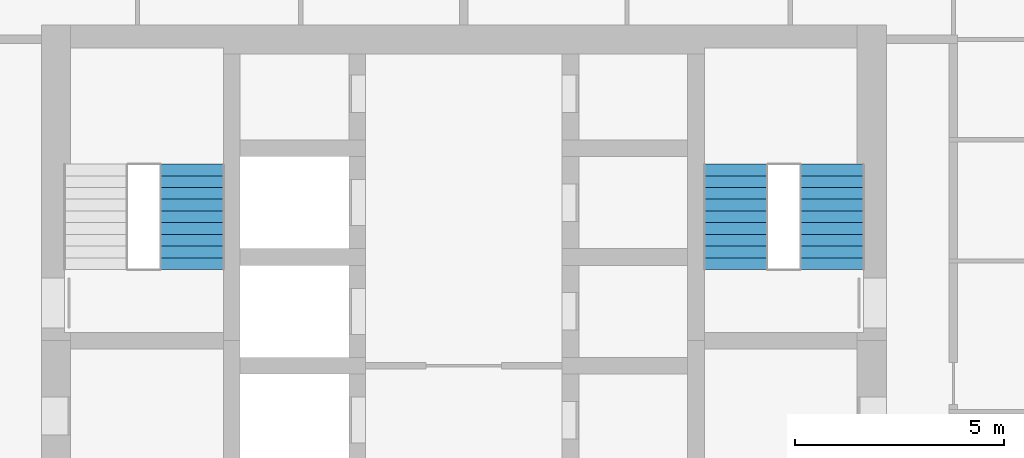
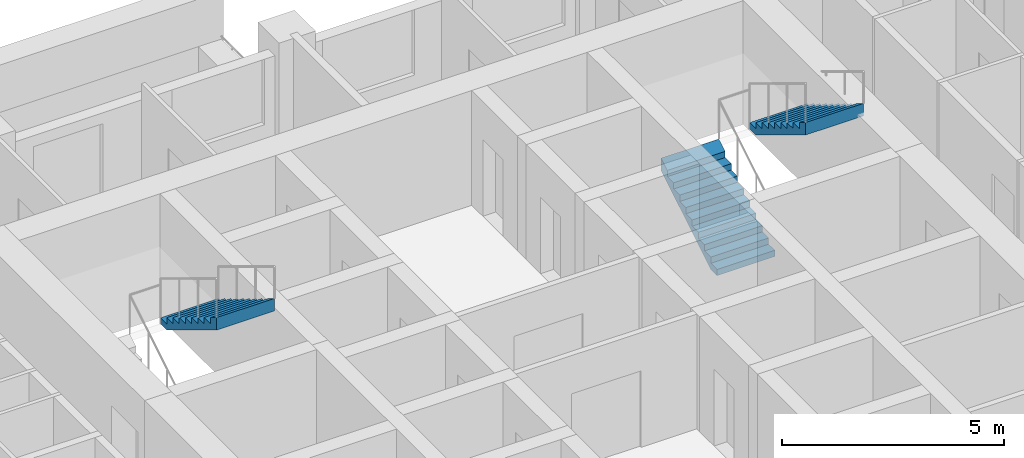
# One storey, part 16 of 18: 3 stair flights, 2 elements without a shape of their own.
"""IFC4 building model written with IfcOpenShell, lengths in metres."""

from ifc_helpers import new_model, si_unit, direction, frame, origin, place, context, subcontext, project, spatial, triangles, material, type_object, element, aggregate, save


model = new_model("IFC4")

# Units and contexts
model_context = context("Model", 3, precision=1e-05, world=origin(), true_north=direction((0.0, 1.0)))
body_context = subcontext(model_context, "Body", "Model", "MODEL_VIEW")
ifc_project = project(units=[si_unit("LENGTHUNIT", "METRE"), si_unit("AREAUNIT", "SQUARE_METRE"), si_unit("VOLUMEUNIT", "CUBIC_METRE"), si_unit("PLANEANGLEUNIT", "RADIAN"), si_unit("MASSUNIT", "GRAM", prefix="KILO")], contexts=[model_context])

# Site, building, storey
site_placement = place(None, origin())
site = spatial("IfcSite", under=ifc_project, at=site_placement, CompositionType="ELEMENT")
building_placement = place(site_placement, origin())
building = spatial("IfcBuilding", under=site, at=building_placement, Name="Ludao Terraces", CompositionType="ELEMENT")
storey_placement = place(building_placement, frame((0.0, 0.0, 61.39990234375)))
storey = spatial("IfcBuildingStorey", under=building, at=storey_placement, Name="L16", CompositionType="ELEMENT", Elevation=61.39990234375)

# Stair, stair flight
ifc_material = material(Name="Concrete C40", Category="concrete")
stair_type = type_object("IfcStairType", Name="INT Stair", PredefinedType="HALF_TURN_STAIR", material=ifc_material)
stair_1_placement = place(storey_placement, origin())
stair_1 = element("IfcStair", 1, at=stair_1_placement, inside=storey, type_object=stair_type, Name="EXIT STAIR 1", PredefinedType="HALF_TURN_STAIR")
stair_flight_type = type_object("IfcStairFlightType", Name="INT Stair flight", PredefinedType="STRAIGHT", material=ifc_material)
stair_flight_1_placement = place(storey_placement, frame((78.5, 81.52001953125, 1.7001953125), z_axis=(0.0, 0.0, 1.0), x_axis=(0.0, -1.0, 0.0)))
stair_flight_1 = element("IfcStairFlight", 2, at=stair_flight_1_placement, type_object=stair_flight_type, Name="ST1 flight 2", NumberOfRisers=10, NumberOfTreads=9, PredefinedType="STRAIGHT", RiserHeight=0.17, TreadLength=0.28, context=body_context, shape_type="Tessellation", body=[
    triangles([(0.0, -0.75, 0.0), (0.0, -0.5, 0.0), (0.0, -0.25, 0.0), (0.0, 0.0, 0.0), (0.0, 0.25, 0.0), (0.0, 0.5, 0.0), (0.0, 0.75, 0.0), (0.0, -0.75, 0.169921875), (0.0, -0.5, 0.169921875), (0.0, -0.25, 0.169921875), (0.0, 0.0, 0.169921875), (0.0, 0.25, 0.169921875), (0.0, 0.5, 0.169921875), (0.0, 0.75, 0.169921875), (0.280029296875, -0.75, 0.169921875), (0.280029296875, -0.5, 0.169921875), (0.280029296875, -0.25, 0.169921875), (0.280029296875, 0.0, 0.169921875), (0.280029296875, 0.25, 0.169921875), (0.280029296875, 0.5, 0.169921875), (0.280029296875, 0.75, 0.169921875), (0.280029296875, -0.75, 0.340087890625), (0.280029296875, -0.5, 0.340087890625), (0.280029296875, -0.25, 0.340087890625), (0.280029296875, 0.0, 0.340087890625), (0.280029296875, 0.25, 0.340087890625), (0.280029296875, 0.5, 0.340087890625), (0.280029296875, 0.75, 0.340087890625), (0.56005859375, -0.75, 0.340087890625), (0.56005859375, -0.5, 0.340087890625), (0.56005859375, -0.25, 0.340087890625), (0.56005859375, 0.0, 0.340087890625), (0.56005859375, 0.25, 0.340087890625), (0.56005859375, 0.5, 0.340087890625), (0.56005859375, 0.75, 0.340087890625), (0.56005859375, -0.75, 0.510009765625), (0.56005859375, -0.5, 0.510009765625), (0.56005859375, -0.25, 0.510009765625), (0.56005859375, 0.0, 0.510009765625), (0.56005859375, 0.25, 0.510009765625), (0.56005859375, 0.5, 0.510009765625), (0.56005859375, 0.75, 0.510009765625), (0.840087890625, -0.75, 0.510009765625), (0.840087890625, -0.5, 0.510009765625), (0.840087890625, -0.25, 0.510009765625), (0.840087890625, 0.0, 0.510009765625), (0.840087890625, 0.25, 0.510009765625), (0.840087890625, 0.5, 0.510009765625), (0.840087890625, 0.75, 0.510009765625), (0.840087890625, -0.75, 0.679931640625), (0.840087890625, -0.5, 0.679931640625), (0.840087890625, -0.25, 0.679931640625), (0.840087890625, 0.0, 0.679931640625), (0.840087890625, 0.25, 0.679931640625), (0.840087890625, 0.5, 0.679931640625), (0.840087890625, 0.75, 0.679931640625), (1.1201171875, -0.75, 0.679931640625), (1.1201171875, -0.5, 0.679931640625), (1.1201171875, -0.25, 0.679931640625), (1.1201171875, 0.0, 0.679931640625), (1.1201171875, 0.25, 0.679931640625), (1.1201171875, 0.5, 0.679931640625), (1.1201171875, 0.75, 0.679931640625), (1.1201171875, -0.75, 0.85009765625), (1.1201171875, -0.5, 0.85009765625), (1.1201171875, -0.25, 0.85009765625), (1.1201171875, 0.0, 0.85009765625), (1.1201171875, 0.25, 0.85009765625), (1.1201171875, 0.5, 0.85009765625), (1.1201171875, 0.75, 0.85009765625), (1.39990234375, -0.75, 0.85009765625), (1.39990234375, -0.5, 0.85009765625), (1.39990234375, -0.25, 0.85009765625), (1.39990234375, 0.0, 0.85009765625), (1.39990234375, 0.25, 0.85009765625), (1.39990234375, 0.5, 0.85009765625), (1.39990234375, 0.75, 0.85009765625), (1.39990234375, -0.75, 1.02001953125), (1.39990234375, -0.5, 1.02001953125), (1.39990234375, -0.25, 1.02001953125), (1.39990234375, 0.0, 1.02001953125), (1.39990234375, 0.25, 1.02001953125), (1.39990234375, 0.5, 1.02001953125), (1.39990234375, 0.75, 1.02001953125), (1.679931640625, -0.75, 1.02001953125), (1.679931640625, -0.5, 1.02001953125), (1.679931640625, -0.25, 1.02001953125), (1.679931640625, 0.0, 1.02001953125), (1.679931640625, 0.25, 1.02001953125), (1.679931640625, 0.5, 1.02001953125), (1.679931640625, 0.75, 1.02001953125), (1.679931640625, -0.75, 1.18994140625), (1.679931640625, -0.5, 1.18994140625), (1.679931640625, -0.25, 1.18994140625), (1.679931640625, 0.0, 1.18994140625), (1.679931640625, 0.25, 1.18994140625), (1.679931640625, 0.5, 1.18994140625), (1.679931640625, 0.75, 1.18994140625), (1.9599609375, -0.75, 1.18994140625), (1.9599609375, -0.5, 1.18994140625), (1.9599609375, -0.25, 1.18994140625), (1.9599609375, 0.0, 1.18994140625), (1.9599609375, 0.25, 1.18994140625), (1.9599609375, 0.5, 1.18994140625), (1.9599609375, 0.75, 1.18994140625), (1.9599609375, -0.75, 1.360107421875), (1.9599609375, -0.5, 1.360107421875), (1.9599609375, -0.25, 1.360107421875), (1.9599609375, 0.0, 1.360107421875), (1.9599609375, 0.25, 1.360107421875), (1.9599609375, 0.5, 1.360107421875), (1.9599609375, 0.75, 1.360107421875), (2.239990234375, -0.75, 1.360107421875), (2.239990234375, -0.5, 1.360107421875), (2.239990234375, -0.25, 1.360107421875), (2.239990234375, 0.0, 1.360107421875), (2.239990234375, 0.25, 1.360107421875), (2.239990234375, 0.5, 1.360107421875), (2.239990234375, 0.75, 1.360107421875), (2.239990234375, -0.75, 1.530029296875), (2.239990234375, -0.5, 1.530029296875), (2.239990234375, -0.25, 1.530029296875), (2.239990234375, 0.0, 1.530029296875), (2.239990234375, 0.25, 1.530029296875), (2.239990234375, 0.5, 1.530029296875), (2.239990234375, 0.75, 1.530029296875), (2.52001953125, -0.75, 1.699951171875), (2.52001953125, -0.5, 1.699951171875), (2.52001953125, -0.25, 1.699951171875), (2.52001953125, 0.0, 1.699951171875), (2.52001953125, 0.25, 1.699951171875), (2.52001953125, 0.5, 1.699951171875), (2.52001953125, 0.75, 1.699951171875), (2.52001953125, -0.75, 1.354736328125), (2.52001953125, -0.5, 1.354736328125), (2.52001953125, -0.25, 1.354736328125), (2.52001953125, 0.0, 1.354736328125), (2.52001953125, 0.25, 1.354736328125), (2.52001953125, 0.5, 1.354736328125), (2.52001953125, 0.75, 1.354736328125), (0.288818359375, -0.75, 0.0), (0.288818359375, -0.5, 0.0), (0.288818359375, -0.25, 0.0), (0.288818359375, 0.0, 0.0), (0.288818359375, 0.25, 0.0), (0.288818359375, 0.5, 0.0), (0.288818359375, 0.75, 0.0)], [[1, 141, 134], [7, 140, 147], [134, 127, 120], [140, 126, 133], [134, 120, 113], [140, 119, 126], [134, 113, 106], [140, 112, 119], [134, 106, 99], [140, 105, 112], [99, 92, 85], [105, 91, 98], [134, 99, 85], [140, 91, 105], [85, 78, 71], [91, 77, 84], [134, 85, 71], [140, 77, 91], [71, 64, 57], [77, 63, 70], [134, 71, 57], [140, 63, 77], [57, 50, 43], [63, 49, 56], [134, 57, 43], [140, 49, 63], [43, 36, 29], [49, 35, 42], [134, 43, 29], [140, 35, 49], [29, 22, 15], [35, 21, 28], [134, 29, 15], [140, 21, 35], [1, 134, 15], [7, 21, 140], [15, 8, 1], [21, 7, 14], [1, 9, 2], [1, 8, 9], [2, 10, 3], [2, 9, 10], [3, 11, 4], [3, 10, 11], [4, 12, 5], [4, 11, 12], [5, 13, 6], [5, 12, 13], [6, 14, 7], [6, 13, 14], [8, 16, 9], [8, 15, 16], [9, 17, 10], [9, 16, 17], [10, 18, 11], [10, 17, 18], [11, 19, 12], [11, 18, 19], [12, 20, 13], [12, 19, 20], [13, 21, 14], [13, 20, 21], [15, 23, 16], [15, 22, 23], [16, 24, 17], [16, 23, 24], [17, 25, 18], [17, 24, 25], [18, 26, 19], [18, 25, 26], [19, 27, 20], [19, 26, 27], [20, 28, 21], [20, 27, 28], [22, 30, 23], [22, 29, 30], [23, 31, 24], [23, 30, 31], [24, 32, 25], [24, 31, 32], [25, 33, 26], [25, 32, 33], [26, 34, 27], [26, 33, 34], [27, 35, 28], [27, 34, 35], [29, 37, 30], [29, 36, 37], [30, 38, 31], [30, 37, 38], [31, 39, 32], [31, 38, 39], [32, 40, 33], [32, 39, 40], [33, 41, 34], [33, 40, 41], [34, 42, 35], [34, 41, 42], [36, 44, 37], [36, 43, 44], [37, 45, 38], [37, 44, 45], [38, 46, 39], [38, 45, 46], [39, 47, 40], [39, 46, 47], [40, 48, 41], [40, 47, 48], [41, 49, 42], [41, 48, 49], [43, 51, 44], [43, 50, 51], [44, 52, 45], [44, 51, 52], [45, 53, 46], [45, 52, 53], [46, 54, 47], [46, 53, 54], [47, 55, 48], [47, 54, 55], [48, 56, 49], [48, 55, 56], [50, 58, 51], [50, 57, 58], [51, 59, 52], [51, 58, 59], [52, 60, 53], [52, 59, 60], [53, 61, 54], [53, 60, 61], [54, 62, 55], [54, 61, 62], [55, 63, 56], [55, 62, 63], [57, 65, 58], [57, 64, 65], [58, 66, 59], [58, 65, 66], [59, 67, 60], [59, 66, 67], [60, 68, 61], [60, 67, 68], [61, 69, 62], [61, 68, 69], [62, 70, 63], [62, 69, 70], [64, 72, 65], [64, 71, 72], [65, 73, 66], [65, 72, 73], [66, 74, 67], [66, 73, 74], [67, 75, 68], [67, 74, 75], [68, 76, 69], [68, 75, 76], [69, 77, 70], [69, 76, 77], [71, 79, 72], [71, 78, 79], [72, 80, 73], [72, 79, 80], [73, 81, 74], [73, 80, 81], [74, 82, 75], [74, 81, 82], [75, 83, 76], [75, 82, 83], [76, 84, 77], [76, 83, 84], [78, 86, 79], [78, 85, 86], [79, 87, 80], [79, 86, 87], [80, 88, 81], [80, 87, 88], [81, 89, 82], [81, 88, 89], [82, 90, 83], [82, 89, 90], [83, 91, 84], [83, 90, 91], [85, 93, 86], [85, 92, 93], [86, 94, 87], [86, 93, 94], [87, 95, 88], [87, 94, 95], [88, 96, 89], [88, 95, 96], [89, 97, 90], [89, 96, 97], [90, 98, 91], [90, 97, 98], [92, 100, 93], [92, 99, 100], [93, 101, 94], [93, 100, 101], [94, 102, 95], [94, 101, 102], [95, 103, 96], [95, 102, 103], [96, 104, 97], [96, 103, 104], [97, 105, 98], [97, 104, 105], [99, 107, 100], [99, 106, 107], [100, 108, 101], [100, 107, 108], [101, 109, 102], [101, 108, 109], [102, 110, 103], [102, 109, 110], [103, 111, 104], [103, 110, 111], [104, 112, 105], [104, 111, 112], [106, 114, 107], [106, 113, 114], [107, 115, 108], [107, 114, 115], [108, 116, 109], [108, 115, 116], [109, 117, 110], [109, 116, 117], [110, 118, 111], [110, 117, 118], [111, 119, 112], [111, 118, 119], [113, 121, 114], [113, 120, 121], [114, 122, 115], [114, 121, 122], [115, 123, 116], [115, 122, 123], [116, 124, 117], [116, 123, 124], [117, 125, 118], [117, 124, 125], [118, 126, 119], [118, 125, 126], [120, 128, 121], [120, 127, 128], [121, 129, 122], [121, 128, 129], [122, 130, 123], [122, 129, 130], [123, 131, 124], [123, 130, 131], [124, 132, 125], [124, 131, 132], [125, 133, 126], [125, 132, 133], [127, 135, 128], [127, 134, 135], [128, 136, 129], [128, 135, 136], [129, 137, 130], [129, 136, 137], [130, 138, 131], [130, 137, 138], [131, 139, 132], [131, 138, 139], [132, 140, 133], [132, 139, 140], [134, 142, 135], [134, 141, 142], [135, 143, 136], [135, 142, 143], [136, 144, 137], [136, 143, 144], [137, 145, 138], [137, 144, 145], [138, 146, 139], [138, 145, 146], [139, 147, 140], [139, 146, 147], [141, 2, 142], [141, 1, 2], [142, 3, 143], [142, 2, 3], [143, 4, 144], [143, 3, 4], [144, 5, 145], [144, 4, 5], [145, 6, 146], [145, 5, 6], [146, 7, 147], [146, 6, 7]], closed=True),
])
aggregate(stair_1, [stair_flight_1])

# Stair, stair flights
stair_2_placement = place(storey_placement, origin())
stair_2 = element("IfcStair", 3, at=stair_2_placement, inside=storey, type_object=stair_type, Name="EXIT STAIR 2", PredefinedType="HALF_TURN_STAIR")
stair_flight_2_placement = place(storey_placement, frame((91.5, 79.0, 0.0), z_axis=(0.0, 0.0, 1.0), x_axis=(0.0, 1.0, 0.0)))
stair_flight_2 = element("IfcStairFlight", 4, at=stair_flight_2_placement, type_object=stair_flight_type, Name="ST2 flight 1", NumberOfRisers=10, NumberOfTreads=9, PredefinedType="STRAIGHT", RiserHeight=0.17, TreadLength=0.28, context=body_context, shape_type="Tessellation", body=[
    triangles([(0.0, -0.75, 0.0), (0.0, -0.5, 0.0), (0.0, -0.25, 0.0), (0.0, 0.0, 0.0), (0.0, 0.25, 0.0), (0.0, 0.5, 0.0), (0.0, 0.75, 0.0), (0.0, -0.75, 0.169921875), (0.0, -0.5, 0.169921875), (0.0, -0.25, 0.169921875), (0.0, 0.0, 0.169921875), (0.0, 0.25, 0.169921875), (0.0, 0.5, 0.169921875), (0.0, 0.75, 0.169921875), (0.280029296875, -0.75, 0.169921875), (0.280029296875, -0.5, 0.169921875), (0.280029296875, -0.25, 0.169921875), (0.280029296875, 0.0, 0.169921875), (0.280029296875, 0.25, 0.169921875), (0.280029296875, 0.5, 0.169921875), (0.280029296875, 0.75, 0.169921875), (0.280029296875, -0.75, 0.340087890625), (0.280029296875, -0.5, 0.340087890625), (0.280029296875, -0.25, 0.340087890625), (0.280029296875, 0.0, 0.340087890625), (0.280029296875, 0.25, 0.340087890625), (0.280029296875, 0.5, 0.340087890625), (0.280029296875, 0.75, 0.340087890625), (0.56005859375, -0.75, 0.340087890625), (0.56005859375, -0.5, 0.340087890625), (0.56005859375, -0.25, 0.340087890625), (0.56005859375, 0.0, 0.340087890625), (0.56005859375, 0.25, 0.340087890625), (0.56005859375, 0.5, 0.340087890625), (0.56005859375, 0.75, 0.340087890625), (0.56005859375, -0.75, 0.510009765625), (0.56005859375, -0.5, 0.510009765625), (0.56005859375, -0.25, 0.510009765625), (0.56005859375, 0.0, 0.510009765625), (0.56005859375, 0.25, 0.510009765625), (0.56005859375, 0.5, 0.510009765625), (0.56005859375, 0.75, 0.510009765625), (0.840087890625, -0.75, 0.510009765625), (0.840087890625, -0.5, 0.510009765625), (0.840087890625, -0.25, 0.510009765625), (0.840087890625, 0.0, 0.510009765625), (0.840087890625, 0.25, 0.510009765625), (0.840087890625, 0.5, 0.510009765625), (0.840087890625, 0.75, 0.510009765625), (0.840087890625, -0.75, 0.679931640625), (0.840087890625, -0.5, 0.679931640625), (0.840087890625, -0.25, 0.679931640625), (0.840087890625, 0.0, 0.679931640625), (0.840087890625, 0.25, 0.679931640625), (0.840087890625, 0.5, 0.679931640625), (0.840087890625, 0.75, 0.679931640625), (1.1201171875, -0.75, 0.679931640625), (1.1201171875, -0.5, 0.679931640625), (1.1201171875, -0.25, 0.679931640625), (1.1201171875, 0.0, 0.679931640625), (1.1201171875, 0.25, 0.679931640625), (1.1201171875, 0.5, 0.679931640625), (1.1201171875, 0.75, 0.679931640625), (1.1201171875, -0.75, 0.85009765625), (1.1201171875, -0.5, 0.85009765625), (1.1201171875, -0.25, 0.85009765625), (1.1201171875, 0.0, 0.85009765625), (1.1201171875, 0.25, 0.85009765625), (1.1201171875, 0.5, 0.85009765625), (1.1201171875, 0.75, 0.85009765625), (1.39990234375, -0.75, 0.85009765625), (1.39990234375, -0.5, 0.85009765625), (1.39990234375, -0.25, 0.85009765625), (1.39990234375, 0.0, 0.85009765625), (1.39990234375, 0.25, 0.85009765625), (1.39990234375, 0.5, 0.85009765625), (1.39990234375, 0.75, 0.85009765625), (1.39990234375, -0.75, 1.02001953125), (1.39990234375, -0.5, 1.02001953125), (1.39990234375, -0.25, 1.02001953125), (1.39990234375, 0.0, 1.02001953125), (1.39990234375, 0.25, 1.02001953125), (1.39990234375, 0.5, 1.02001953125), (1.39990234375, 0.75, 1.02001953125), (1.679931640625, -0.75, 1.02001953125), (1.679931640625, -0.5, 1.02001953125), (1.679931640625, -0.25, 1.02001953125), (1.679931640625, 0.0, 1.02001953125), (1.679931640625, 0.25, 1.02001953125), (1.679931640625, 0.5, 1.02001953125), (1.679931640625, 0.75, 1.02001953125), (1.679931640625, -0.75, 1.18994140625), (1.679931640625, -0.5, 1.18994140625), (1.679931640625, -0.25, 1.18994140625), (1.679931640625, 0.0, 1.18994140625), (1.679931640625, 0.25, 1.18994140625), (1.679931640625, 0.5, 1.18994140625), (1.679931640625, 0.75, 1.18994140625), (1.9599609375, -0.75, 1.18994140625), (1.9599609375, -0.5, 1.18994140625), (1.9599609375, -0.25, 1.18994140625), (1.9599609375, 0.0, 1.18994140625), (1.9599609375, 0.25, 1.18994140625), (1.9599609375, 0.5, 1.18994140625), (1.9599609375, 0.75, 1.18994140625), (1.9599609375, -0.75, 1.360107421875), (1.9599609375, -0.5, 1.360107421875), (1.9599609375, -0.25, 1.360107421875), (1.9599609375, 0.0, 1.360107421875), (1.9599609375, 0.25, 1.360107421875), (1.9599609375, 0.5, 1.360107421875), (1.9599609375, 0.75, 1.360107421875), (2.239990234375, -0.75, 1.360107421875), (2.239990234375, -0.5, 1.360107421875), (2.239990234375, -0.25, 1.360107421875), (2.239990234375, 0.0, 1.360107421875), (2.239990234375, 0.25, 1.360107421875), (2.239990234375, 0.5, 1.360107421875), (2.239990234375, 0.75, 1.360107421875), (2.239990234375, -0.75, 1.530029296875), (2.239990234375, -0.5, 1.530029296875), (2.239990234375, -0.25, 1.530029296875), (2.239990234375, 0.0, 1.530029296875), (2.239990234375, 0.25, 1.530029296875), (2.239990234375, 0.5, 1.530029296875), (2.239990234375, 0.75, 1.530029296875), (2.52001953125, -0.75, 1.699951171875), (2.52001953125, -0.5, 1.699951171875), (2.52001953125, -0.25, 1.699951171875), (2.52001953125, 0.0, 1.699951171875), (2.52001953125, 0.25, 1.699951171875), (2.52001953125, 0.5, 1.699951171875), (2.52001953125, 0.75, 1.699951171875), (2.52001953125, -0.75, 1.354736328125), (2.52001953125, -0.5, 1.354736328125), (2.52001953125, -0.25, 1.354736328125), (2.52001953125, 0.0, 1.354736328125), (2.52001953125, 0.25, 1.354736328125), (2.52001953125, 0.5, 1.354736328125), (2.52001953125, 0.75, 1.354736328125), (0.288818359375, -0.75, 0.0), (0.288818359375, -0.5, 0.0), (0.288818359375, -0.25, 0.0), (0.288818359375, 0.0, 0.0), (0.288818359375, 0.25, 0.0), (0.288818359375, 0.5, 0.0), (0.288818359375, 0.75, 0.0)], [[1, 141, 134], [7, 140, 147], [134, 127, 120], [140, 126, 133], [134, 120, 113], [140, 119, 126], [134, 113, 106], [140, 112, 119], [134, 106, 99], [140, 105, 112], [99, 92, 85], [105, 91, 98], [134, 99, 85], [140, 91, 105], [85, 78, 71], [91, 77, 84], [134, 85, 71], [140, 77, 91], [71, 64, 57], [77, 63, 70], [134, 71, 57], [140, 63, 77], [57, 50, 43], [63, 49, 56], [134, 57, 43], [140, 49, 63], [43, 36, 29], [49, 35, 42], [134, 43, 29], [140, 35, 49], [29, 22, 15], [35, 21, 28], [134, 29, 15], [140, 21, 35], [1, 134, 15], [7, 21, 140], [15, 8, 1], [21, 7, 14], [1, 9, 2], [1, 8, 9], [2, 10, 3], [2, 9, 10], [3, 11, 4], [3, 10, 11], [4, 12, 5], [4, 11, 12], [5, 13, 6], [5, 12, 13], [6, 14, 7], [6, 13, 14], [8, 16, 9], [8, 15, 16], [9, 17, 10], [9, 16, 17], [10, 18, 11], [10, 17, 18], [11, 19, 12], [11, 18, 19], [12, 20, 13], [12, 19, 20], [13, 21, 14], [13, 20, 21], [15, 23, 16], [15, 22, 23], [16, 24, 17], [16, 23, 24], [17, 25, 18], [17, 24, 25], [18, 26, 19], [18, 25, 26], [19, 27, 20], [19, 26, 27], [20, 28, 21], [20, 27, 28], [22, 30, 23], [22, 29, 30], [23, 31, 24], [23, 30, 31], [24, 32, 25], [24, 31, 32], [25, 33, 26], [25, 32, 33], [26, 34, 27], [26, 33, 34], [27, 35, 28], [27, 34, 35], [29, 37, 30], [29, 36, 37], [30, 38, 31], [30, 37, 38], [31, 39, 32], [31, 38, 39], [32, 40, 33], [32, 39, 40], [33, 41, 34], [33, 40, 41], [34, 42, 35], [34, 41, 42], [36, 44, 37], [36, 43, 44], [37, 45, 38], [37, 44, 45], [38, 46, 39], [38, 45, 46], [39, 47, 40], [39, 46, 47], [40, 48, 41], [40, 47, 48], [41, 49, 42], [41, 48, 49], [43, 51, 44], [43, 50, 51], [44, 52, 45], [44, 51, 52], [45, 53, 46], [45, 52, 53], [46, 54, 47], [46, 53, 54], [47, 55, 48], [47, 54, 55], [48, 56, 49], [48, 55, 56], [50, 58, 51], [50, 57, 58], [51, 59, 52], [51, 58, 59], [52, 60, 53], [52, 59, 60], [53, 61, 54], [53, 60, 61], [54, 62, 55], [54, 61, 62], [55, 63, 56], [55, 62, 63], [57, 65, 58], [57, 64, 65], [58, 66, 59], [58, 65, 66], [59, 67, 60], [59, 66, 67], [60, 68, 61], [60, 67, 68], [61, 69, 62], [61, 68, 69], [62, 70, 63], [62, 69, 70], [64, 72, 65], [64, 71, 72], [65, 73, 66], [65, 72, 73], [66, 74, 67], [66, 73, 74], [67, 75, 68], [67, 74, 75], [68, 76, 69], [68, 75, 76], [69, 77, 70], [69, 76, 77], [71, 79, 72], [71, 78, 79], [72, 80, 73], [72, 79, 80], [73, 81, 74], [73, 80, 81], [74, 82, 75], [74, 81, 82], [75, 83, 76], [75, 82, 83], [76, 84, 77], [76, 83, 84], [78, 86, 79], [78, 85, 86], [79, 87, 80], [79, 86, 87], [80, 88, 81], [80, 87, 88], [81, 89, 82], [81, 88, 89], [82, 90, 83], [82, 89, 90], [83, 91, 84], [83, 90, 91], [85, 93, 86], [85, 92, 93], [86, 94, 87], [86, 93, 94], [87, 95, 88], [87, 94, 95], [88, 96, 89], [88, 95, 96], [89, 97, 90], [89, 96, 97], [90, 98, 91], [90, 97, 98], [92, 100, 93], [92, 99, 100], [93, 101, 94], [93, 100, 101], [94, 102, 95], [94, 101, 102], [95, 103, 96], [95, 102, 103], [96, 104, 97], [96, 103, 104], [97, 105, 98], [97, 104, 105], [99, 107, 100], [99, 106, 107], [100, 108, 101], [100, 107, 108], [101, 109, 102], [101, 108, 109], [102, 110, 103], [102, 109, 110], [103, 111, 104], [103, 110, 111], [104, 112, 105], [104, 111, 112], [106, 114, 107], [106, 113, 114], [107, 115, 108], [107, 114, 115], [108, 116, 109], [108, 115, 116], [109, 117, 110], [109, 116, 117], [110, 118, 111], [110, 117, 118], [111, 119, 112], [111, 118, 119], [113, 121, 114], [113, 120, 121], [114, 122, 115], [114, 121, 122], [115, 123, 116], [115, 122, 123], [116, 124, 117], [116, 123, 124], [117, 125, 118], [117, 124, 125], [118, 126, 119], [118, 125, 126], [120, 128, 121], [120, 127, 128], [121, 129, 122], [121, 128, 129], [122, 130, 123], [122, 129, 130], [123, 131, 124], [123, 130, 131], [124, 132, 125], [124, 131, 132], [125, 133, 126], [125, 132, 133], [127, 135, 128], [127, 134, 135], [128, 136, 129], [128, 135, 136], [129, 137, 130], [129, 136, 137], [130, 138, 131], [130, 137, 138], [131, 139, 132], [131, 138, 139], [132, 140, 133], [132, 139, 140], [134, 142, 135], [134, 141, 142], [135, 143, 136], [135, 142, 143], [136, 144, 137], [136, 143, 144], [137, 145, 138], [137, 144, 145], [138, 146, 139], [138, 145, 146], [139, 147, 140], [139, 146, 147], [141, 2, 142], [141, 1, 2], [142, 3, 143], [142, 2, 3], [143, 4, 144], [143, 3, 4], [144, 5, 145], [144, 4, 5], [145, 6, 146], [145, 5, 6], [146, 7, 147], [146, 6, 7]], closed=True),
])
stair_flight_3_placement = place(storey_placement, frame((93.800048828125, 81.52001953125, 1.7001953125), z_axis=(0.0, 0.0, 1.0), x_axis=(0.0, -1.0, 0.0)))
stair_flight_3 = element("IfcStairFlight", 5, at=stair_flight_3_placement, type_object=stair_flight_type, Name="ST2 flight 2", NumberOfRisers=10, NumberOfTreads=9, PredefinedType="STRAIGHT", RiserHeight=0.17, TreadLength=0.28, context=body_context, shape_type="Tessellation", body=[
    triangles([(0.0, -0.75, 0.0), (0.0, -0.5, 0.0), (0.0, -0.25, 0.0), (0.0, 0.0, 0.0), (0.0, 0.25, 0.0), (0.0, 0.5, 0.0), (0.0, 0.75, 0.0), (0.0, -0.75, 0.169921875), (0.0, -0.5, 0.169921875), (0.0, -0.25, 0.169921875), (0.0, 0.0, 0.169921875), (0.0, 0.25, 0.169921875), (0.0, 0.5, 0.169921875), (0.0, 0.75, 0.169921875), (0.280029296875, -0.75, 0.169921875), (0.280029296875, -0.5, 0.169921875), (0.280029296875, -0.25, 0.169921875), (0.280029296875, 0.0, 0.169921875), (0.280029296875, 0.25, 0.169921875), (0.280029296875, 0.5, 0.169921875), (0.280029296875, 0.75, 0.169921875), (0.280029296875, -0.75, 0.340087890625), (0.280029296875, -0.5, 0.340087890625), (0.280029296875, -0.25, 0.340087890625), (0.280029296875, 0.0, 0.340087890625), (0.280029296875, 0.25, 0.340087890625), (0.280029296875, 0.5, 0.340087890625), (0.280029296875, 0.75, 0.340087890625), (0.56005859375, -0.75, 0.340087890625), (0.56005859375, -0.5, 0.340087890625), (0.56005859375, -0.25, 0.340087890625), (0.56005859375, 0.0, 0.340087890625), (0.56005859375, 0.25, 0.340087890625), (0.56005859375, 0.5, 0.340087890625), (0.56005859375, 0.75, 0.340087890625), (0.56005859375, -0.75, 0.510009765625), (0.56005859375, -0.5, 0.510009765625), (0.56005859375, -0.25, 0.510009765625), (0.56005859375, 0.0, 0.510009765625), (0.56005859375, 0.25, 0.510009765625), (0.56005859375, 0.5, 0.510009765625), (0.56005859375, 0.75, 0.510009765625), (0.840087890625, -0.75, 0.510009765625), (0.840087890625, -0.5, 0.510009765625), (0.840087890625, -0.25, 0.510009765625), (0.840087890625, 0.0, 0.510009765625), (0.840087890625, 0.25, 0.510009765625), (0.840087890625, 0.5, 0.510009765625), (0.840087890625, 0.75, 0.510009765625), (0.840087890625, -0.75, 0.679931640625), (0.840087890625, -0.5, 0.679931640625), (0.840087890625, -0.25, 0.679931640625), (0.840087890625, 0.0, 0.679931640625), (0.840087890625, 0.25, 0.679931640625), (0.840087890625, 0.5, 0.679931640625), (0.840087890625, 0.75, 0.679931640625), (1.1201171875, -0.75, 0.679931640625), (1.1201171875, -0.5, 0.679931640625), (1.1201171875, -0.25, 0.679931640625), (1.1201171875, 0.0, 0.679931640625), (1.1201171875, 0.25, 0.679931640625), (1.1201171875, 0.5, 0.679931640625), (1.1201171875, 0.75, 0.679931640625), (1.1201171875, -0.75, 0.85009765625), (1.1201171875, -0.5, 0.85009765625), (1.1201171875, -0.25, 0.85009765625), (1.1201171875, 0.0, 0.85009765625), (1.1201171875, 0.25, 0.85009765625), (1.1201171875, 0.5, 0.85009765625), (1.1201171875, 0.75, 0.85009765625), (1.39990234375, -0.75, 0.85009765625), (1.39990234375, -0.5, 0.85009765625), (1.39990234375, -0.25, 0.85009765625), (1.39990234375, 0.0, 0.85009765625), (1.39990234375, 0.25, 0.85009765625), (1.39990234375, 0.5, 0.85009765625), (1.39990234375, 0.75, 0.85009765625), (1.39990234375, -0.75, 1.02001953125), (1.39990234375, -0.5, 1.02001953125), (1.39990234375, -0.25, 1.02001953125), (1.39990234375, 0.0, 1.02001953125), (1.39990234375, 0.25, 1.02001953125), (1.39990234375, 0.5, 1.02001953125), (1.39990234375, 0.75, 1.02001953125), (1.679931640625, -0.75, 1.02001953125), (1.679931640625, -0.5, 1.02001953125), (1.679931640625, -0.25, 1.02001953125), (1.679931640625, 0.0, 1.02001953125), (1.679931640625, 0.25, 1.02001953125), (1.679931640625, 0.5, 1.02001953125), (1.679931640625, 0.75, 1.02001953125), (1.679931640625, -0.75, 1.18994140625), (1.679931640625, -0.5, 1.18994140625), (1.679931640625, -0.25, 1.18994140625), (1.679931640625, 0.0, 1.18994140625), (1.679931640625, 0.25, 1.18994140625), (1.679931640625, 0.5, 1.18994140625), (1.679931640625, 0.75, 1.18994140625), (1.9599609375, -0.75, 1.18994140625), (1.9599609375, -0.5, 1.18994140625), (1.9599609375, -0.25, 1.18994140625), (1.9599609375, 0.0, 1.18994140625), (1.9599609375, 0.25, 1.18994140625), (1.9599609375, 0.5, 1.18994140625), (1.9599609375, 0.75, 1.18994140625), (1.9599609375, -0.75, 1.360107421875), (1.9599609375, -0.5, 1.360107421875), (1.9599609375, -0.25, 1.360107421875), (1.9599609375, 0.0, 1.360107421875), (1.9599609375, 0.25, 1.360107421875), (1.9599609375, 0.5, 1.360107421875), (1.9599609375, 0.75, 1.360107421875), (2.239990234375, -0.75, 1.360107421875), (2.239990234375, -0.5, 1.360107421875), (2.239990234375, -0.25, 1.360107421875), (2.239990234375, 0.0, 1.360107421875), (2.239990234375, 0.25, 1.360107421875), (2.239990234375, 0.5, 1.360107421875), (2.239990234375, 0.75, 1.360107421875), (2.239990234375, -0.75, 1.530029296875), (2.239990234375, -0.5, 1.530029296875), (2.239990234375, -0.25, 1.530029296875), (2.239990234375, 0.0, 1.530029296875), (2.239990234375, 0.25, 1.530029296875), (2.239990234375, 0.5, 1.530029296875), (2.239990234375, 0.75, 1.530029296875), (2.52001953125, -0.75, 1.699951171875), (2.52001953125, -0.5, 1.699951171875), (2.52001953125, -0.25, 1.699951171875), (2.52001953125, 0.0, 1.699951171875), (2.52001953125, 0.25, 1.699951171875), (2.52001953125, 0.5, 1.699951171875), (2.52001953125, 0.75, 1.699951171875), (2.52001953125, -0.75, 1.354736328125), (2.52001953125, -0.5, 1.354736328125), (2.52001953125, -0.25, 1.354736328125), (2.52001953125, 0.0, 1.354736328125), (2.52001953125, 0.25, 1.354736328125), (2.52001953125, 0.5, 1.354736328125), (2.52001953125, 0.75, 1.354736328125), (0.288818359375, -0.75, 0.0), (0.288818359375, -0.5, 0.0), (0.288818359375, -0.25, 0.0), (0.288818359375, 0.0, 0.0), (0.288818359375, 0.25, 0.0), (0.288818359375, 0.5, 0.0), (0.288818359375, 0.75, 0.0)], [[1, 141, 134], [7, 140, 147], [134, 127, 120], [140, 126, 133], [134, 120, 113], [140, 119, 126], [134, 113, 106], [140, 112, 119], [134, 106, 99], [140, 105, 112], [99, 92, 85], [105, 91, 98], [134, 99, 85], [140, 91, 105], [85, 78, 71], [91, 77, 84], [134, 85, 71], [140, 77, 91], [71, 64, 57], [77, 63, 70], [134, 71, 57], [140, 63, 77], [57, 50, 43], [63, 49, 56], [134, 57, 43], [140, 49, 63], [43, 36, 29], [49, 35, 42], [134, 43, 29], [140, 35, 49], [29, 22, 15], [35, 21, 28], [134, 29, 15], [140, 21, 35], [1, 134, 15], [7, 21, 140], [15, 8, 1], [21, 7, 14], [1, 9, 2], [1, 8, 9], [2, 10, 3], [2, 9, 10], [3, 11, 4], [3, 10, 11], [4, 12, 5], [4, 11, 12], [5, 13, 6], [5, 12, 13], [6, 14, 7], [6, 13, 14], [8, 16, 9], [8, 15, 16], [9, 17, 10], [9, 16, 17], [10, 18, 11], [10, 17, 18], [11, 19, 12], [11, 18, 19], [12, 20, 13], [12, 19, 20], [13, 21, 14], [13, 20, 21], [15, 23, 16], [15, 22, 23], [16, 24, 17], [16, 23, 24], [17, 25, 18], [17, 24, 25], [18, 26, 19], [18, 25, 26], [19, 27, 20], [19, 26, 27], [20, 28, 21], [20, 27, 28], [22, 30, 23], [22, 29, 30], [23, 31, 24], [23, 30, 31], [24, 32, 25], [24, 31, 32], [25, 33, 26], [25, 32, 33], [26, 34, 27], [26, 33, 34], [27, 35, 28], [27, 34, 35], [29, 37, 30], [29, 36, 37], [30, 38, 31], [30, 37, 38], [31, 39, 32], [31, 38, 39], [32, 40, 33], [32, 39, 40], [33, 41, 34], [33, 40, 41], [34, 42, 35], [34, 41, 42], [36, 44, 37], [36, 43, 44], [37, 45, 38], [37, 44, 45], [38, 46, 39], [38, 45, 46], [39, 47, 40], [39, 46, 47], [40, 48, 41], [40, 47, 48], [41, 49, 42], [41, 48, 49], [43, 51, 44], [43, 50, 51], [44, 52, 45], [44, 51, 52], [45, 53, 46], [45, 52, 53], [46, 54, 47], [46, 53, 54], [47, 55, 48], [47, 54, 55], [48, 56, 49], [48, 55, 56], [50, 58, 51], [50, 57, 58], [51, 59, 52], [51, 58, 59], [52, 60, 53], [52, 59, 60], [53, 61, 54], [53, 60, 61], [54, 62, 55], [54, 61, 62], [55, 63, 56], [55, 62, 63], [57, 65, 58], [57, 64, 65], [58, 66, 59], [58, 65, 66], [59, 67, 60], [59, 66, 67], [60, 68, 61], [60, 67, 68], [61, 69, 62], [61, 68, 69], [62, 70, 63], [62, 69, 70], [64, 72, 65], [64, 71, 72], [65, 73, 66], [65, 72, 73], [66, 74, 67], [66, 73, 74], [67, 75, 68], [67, 74, 75], [68, 76, 69], [68, 75, 76], [69, 77, 70], [69, 76, 77], [71, 79, 72], [71, 78, 79], [72, 80, 73], [72, 79, 80], [73, 81, 74], [73, 80, 81], [74, 82, 75], [74, 81, 82], [75, 83, 76], [75, 82, 83], [76, 84, 77], [76, 83, 84], [78, 86, 79], [78, 85, 86], [79, 87, 80], [79, 86, 87], [80, 88, 81], [80, 87, 88], [81, 89, 82], [81, 88, 89], [82, 90, 83], [82, 89, 90], [83, 91, 84], [83, 90, 91], [85, 93, 86], [85, 92, 93], [86, 94, 87], [86, 93, 94], [87, 95, 88], [87, 94, 95], [88, 96, 89], [88, 95, 96], [89, 97, 90], [89, 96, 97], [90, 98, 91], [90, 97, 98], [92, 100, 93], [92, 99, 100], [93, 101, 94], [93, 100, 101], [94, 102, 95], [94, 101, 102], [95, 103, 96], [95, 102, 103], [96, 104, 97], [96, 103, 104], [97, 105, 98], [97, 104, 105], [99, 107, 100], [99, 106, 107], [100, 108, 101], [100, 107, 108], [101, 109, 102], [101, 108, 109], [102, 110, 103], [102, 109, 110], [103, 111, 104], [103, 110, 111], [104, 112, 105], [104, 111, 112], [106, 114, 107], [106, 113, 114], [107, 115, 108], [107, 114, 115], [108, 116, 109], [108, 115, 116], [109, 117, 110], [109, 116, 117], [110, 118, 111], [110, 117, 118], [111, 119, 112], [111, 118, 119], [113, 121, 114], [113, 120, 121], [114, 122, 115], [114, 121, 122], [115, 123, 116], [115, 122, 123], [116, 124, 117], [116, 123, 124], [117, 125, 118], [117, 124, 125], [118, 126, 119], [118, 125, 126], [120, 128, 121], [120, 127, 128], [121, 129, 122], [121, 128, 129], [122, 130, 123], [122, 129, 130], [123, 131, 124], [123, 130, 131], [124, 132, 125], [124, 131, 132], [125, 133, 126], [125, 132, 133], [127, 135, 128], [127, 134, 135], [128, 136, 129], [128, 135, 136], [129, 137, 130], [129, 136, 137], [130, 138, 131], [130, 137, 138], [131, 139, 132], [131, 138, 139], [132, 140, 133], [132, 139, 140], [134, 142, 135], [134, 141, 142], [135, 143, 136], [135, 142, 143], [136, 144, 137], [136, 143, 144], [137, 145, 138], [137, 144, 145], [138, 146, 139], [138, 145, 146], [139, 147, 140], [139, 146, 147], [141, 2, 142], [141, 1, 2], [142, 3, 143], [142, 2, 3], [143, 4, 144], [143, 3, 4], [144, 5, 145], [144, 4, 5], [145, 6, 146], [145, 5, 6], [146, 7, 147], [146, 6, 7]], closed=True),
])
aggregate(stair_2, [stair_flight_2, stair_flight_3])

save(model, "model.ifc")
